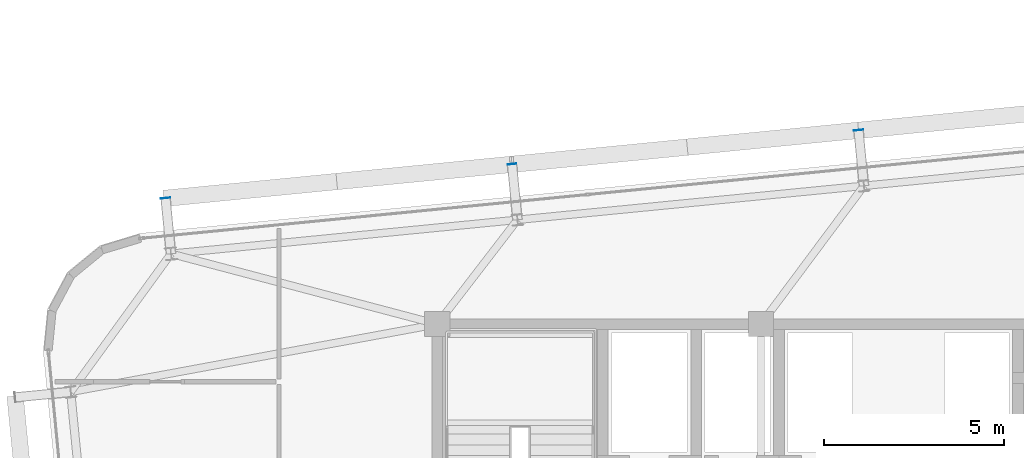
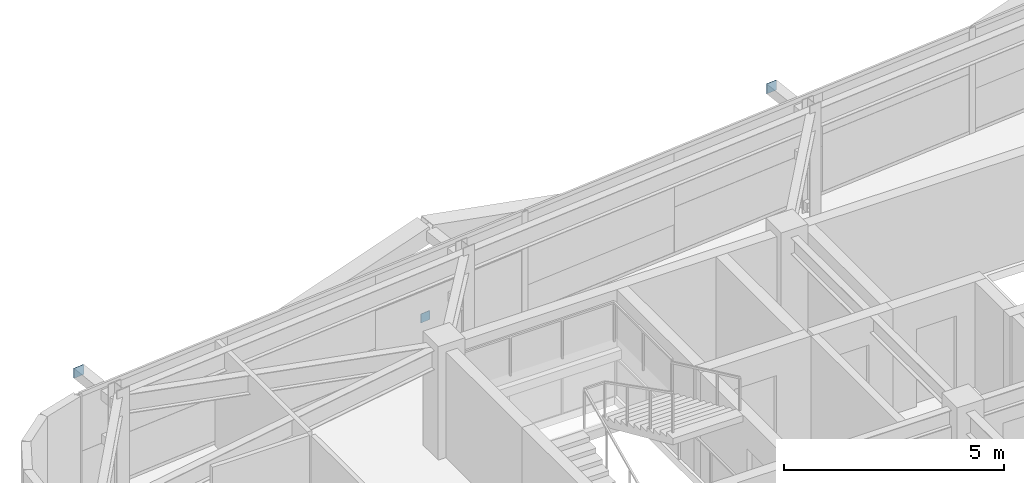
# One storey, part 38 of 47: 3 plates.
"""IFC4 building model written with IfcOpenShell, lengths in metres."""

from ifc_helpers import new_model, si_unit, direction, frame, origin, origin_2d, place, context, subcontext, project, spatial, rectangle, extrude, source, transform, mapped, material, layer, layer_set, type_object, element, save


model = new_model("IFC4")

# Units and contexts
model_context = context("Model", 3, precision=1e-05, world=origin(), true_north=direction((0.0, 1.0)))
body_context = subcontext(model_context, "Body", "Model", "MODEL_VIEW")
ifc_project = project(units=[si_unit("LENGTHUNIT", "METRE"), si_unit("AREAUNIT", "SQUARE_METRE"), si_unit("VOLUMEUNIT", "CUBIC_METRE"), si_unit("PLANEANGLEUNIT", "RADIAN"), si_unit("MASSUNIT", "GRAM", prefix="KILO")], contexts=[model_context])

# Site, building, storey
site_placement = place(None, origin())
site = spatial("IfcSite", under=ifc_project, at=site_placement, CompositionType="ELEMENT")
building_placement = place(site_placement, origin())
building = spatial("IfcBuilding", under=site, at=building_placement, Name="Taldren Reach Tower", CompositionType="ELEMENT")
storey_placement = place(building_placement, frame((0.0, 0.0, 106.050048828125)))
storey = spatial("IfcBuildingStorey", under=building, at=storey_placement, Name="L32", CompositionType="ELEMENT", Elevation=106.050048828125)

# Plates
ifc_material_1 = material(Name="Steel Gr 450 (C450L0)", Category="steel")
ifc_layer_1 = layer(ifc_material_1, 0.011962890625)
ifc_layer_set_1 = layer_set([ifc_layer_1], Name="Steel Gr 450 (C450L0)")
plate_type_1 = type_object("IfcPlateType", Name="PL-CAP-275", PredefinedType="SHEET", material=ifc_layer_set_1)
shared_shape_1 = source(origin(), body_context, "Body", "SweptSolid", [
    extrude(rectangle(XDim=0.27490234375, YDim=0.011962890625, at=origin_2d()), origin(), (0.0, 0.0, 1.0), 0.27490234375),
])
for number, where, z_axis, x_axis, name in (
    (1, (11.445068359375, 35.50537109375, 2.512451171875), (0.0, 0.0, 1.0), (0.995227399982, 0.097582899759, 0.0), "Tie strut end cap plate B2-N1 L32"),
    (2, (30.712646484375, 37.394775390625, 2.512451171875), (0.0, 0.0, 1.0), (0.995227399982, 0.097582899759, 0.0), "Tie strut end cap plate B2-N3 L32"),
):
    element("IfcPlate", number, at=place(storey_placement, frame(where, z_axis=z_axis, x_axis=x_axis)), inside=storey, type_object=plate_type_1, Name=name, PredefinedType="SHEET", context=body_context, shape_type="MappedRepresentation", body=[
        mapped(shared_shape_1, transform((0.0, 0.0, 0.0), scale=1.0)),
    ])
ifc_material_2 = material(Name="Steel Gr 350 (C350L0)", Category="steel")
ifc_layer_2 = layer(ifc_material_2, 0.011962890625)
ifc_layer_set_2 = layer_set([ifc_layer_2], Name="Steel Gr 350 (C350L0)")
plate_type_2 = type_object("IfcPlateType", Name="PL-CAP-250", PredefinedType="SHEET", material=ifc_layer_set_2)
shared_shape_2 = source(origin(), body_context, "Body", "SweptSolid", [
    extrude(rectangle(XDim=0.25, YDim=0.011962890625, at=origin_2d()), origin(), (0.0, 0.0, 1.0), 0.25),
])
plate_placement = place(storey_placement, frame((21.078857421875, 36.449951171875, 0.094970703125), z_axis=(0.0, 0.0, 1.0), x_axis=(0.995227399982, 0.097582899759, 0.0)))
element("IfcPlate", 3, at=plate_placement, inside=storey, type_object=plate_type_2, Name="Tie strut end cap plate B2-N2 L32", PredefinedType="SHEET", context=body_context, shape_type="MappedRepresentation", body=[
    mapped(shared_shape_2, transform((0.0, 0.0, 0.0), scale=1.0)),
])

save(model, "model.ifc")
